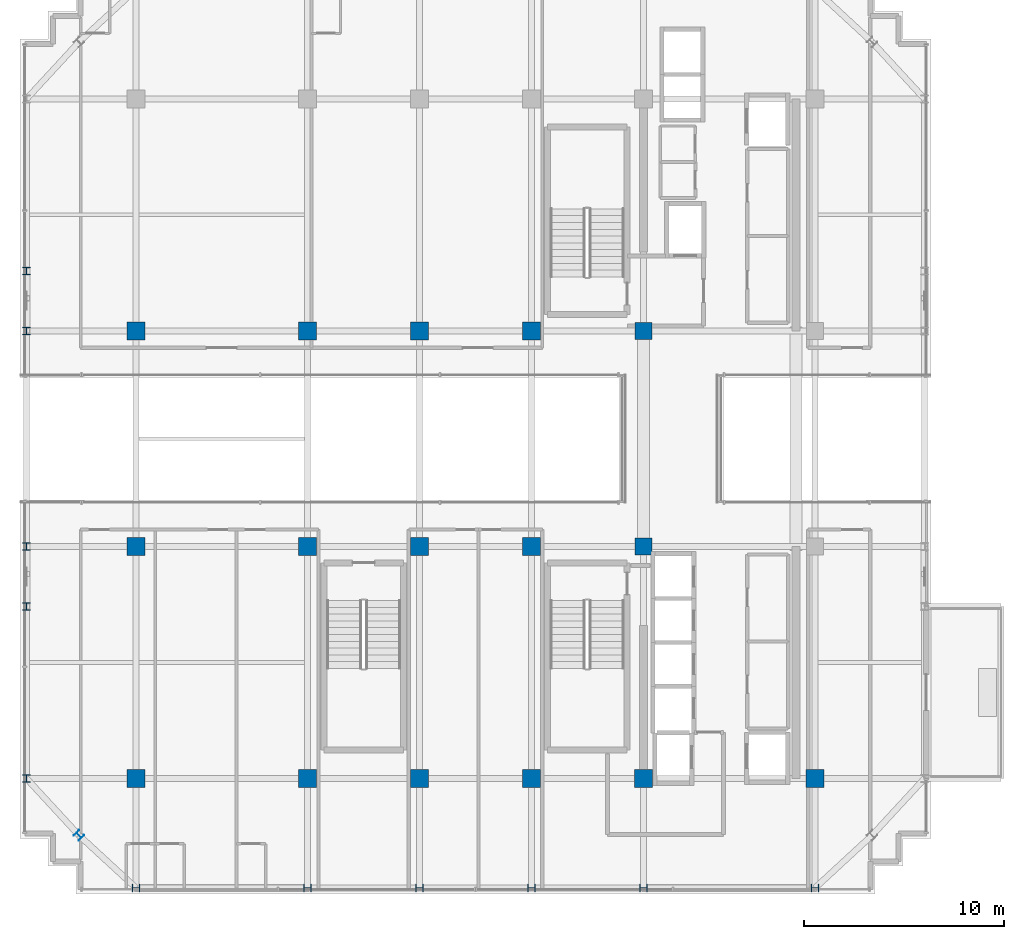
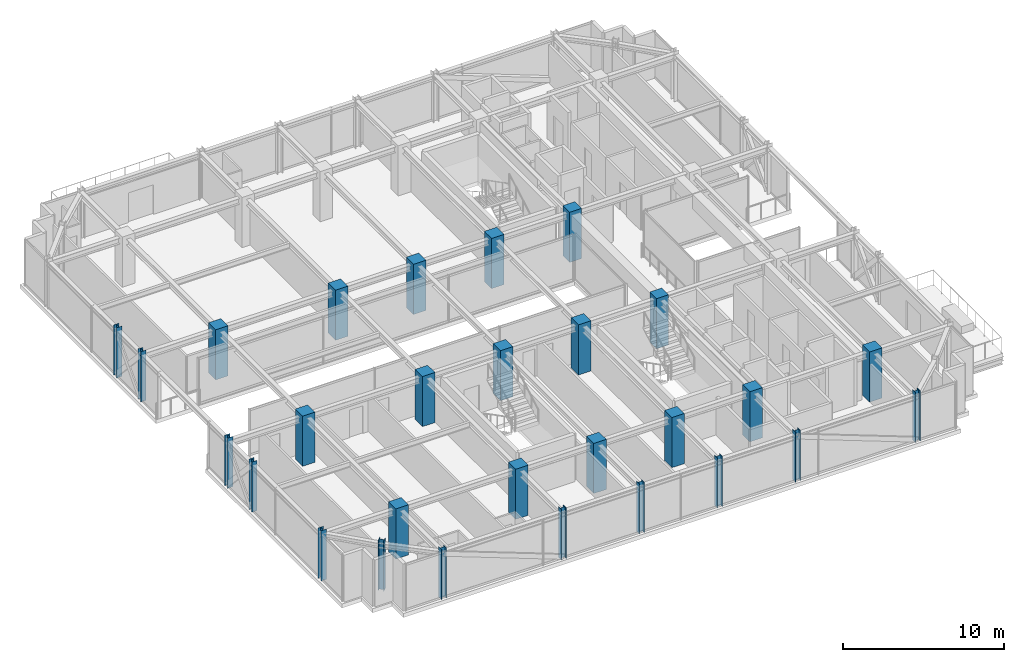
# One storey, part 1 of 39: 28 columns.
"""IFC4 building model written with IfcOpenShell, lengths in metres."""

from ifc_helpers import new_model, si_unit, direction, frame, origin, origin_2d, place, context, subcontext, project, spatial, rectangle, i_section, extrude, source, transform, mapped, material, material_profile, profile_set, type_object, element, save


model = new_model("IFC4")

# Units and contexts
model_context = context("Model", 3, precision=1e-05, world=origin(), true_north=direction((0.0, 1.0)))
body_context = subcontext(model_context, "Body", "Model", "MODEL_VIEW")
ifc_project = project(units=[si_unit("LENGTHUNIT", "METRE"), si_unit("AREAUNIT", "SQUARE_METRE"), si_unit("VOLUMEUNIT", "CUBIC_METRE"), si_unit("PLANEANGLEUNIT", "RADIAN"), si_unit("MASSUNIT", "GRAM", prefix="KILO")], contexts=[model_context])

# Site, building, storey
site_placement = place(None, origin())
site = spatial("IfcSite", under=ifc_project, at=site_placement, CompositionType="ELEMENT")
building_placement = place(site_placement, origin())
building = spatial("IfcBuilding", under=site, at=building_placement, Name="Nahalor Promenade Grand Hotel", CompositionType="ELEMENT")
storey_placement = place(building_placement, frame((0.0, 0.0, 311.89990234375)))
storey = spatial("IfcBuildingStorey", under=building, at=storey_placement, Name="L80", CompositionType="ELEMENT", Elevation=311.89990234375)

# Columns
ifc_material_1 = material(Name="Concrete B-50 (C40/50)", Category="concrete")
ifc_material_profile_1 = material_profile(ifc_material_1, rectangle(XDim=0.9, YDim=0.9, at=origin_2d()), Name="RC 900x900")
ifc_profile_set_1 = profile_set([ifc_material_profile_1], Name="Concrete B-50 (C40/50)")
column_type_1 = type_object("IfcColumnType", Name="Col-RC-900", PredefinedType="COLUMN", material=ifc_profile_set_1)
shared_shape_1 = source(origin(), body_context, "Body", "SweptSolid", [
    extrude(rectangle(XDim=0.9, YDim=0.9, at=origin_2d()), origin(), (0.0, 0.0, 1.0), 3.80517578125),
])
for number, where, z_axis, x_axis, name in (
    (1, (-17.0, -17.0, 0.0), (0.0, 0.0, 1.0), (1.0, 0.0, 0.0), "COL-L80-I00"),
    (2, (-17.0, -5.39990234375, 0.0), (0.0, 0.0, 1.0), (1.0, 0.0, 0.0), "COL-L80-I01"),
    (3, (-17.0, 5.39990234375, 0.0), (0.0, 0.0, 1.0), (1.0, 0.0, 0.0), "COL-L80-I02"),
    (4, (-8.39990234375, -17.0, 0.0), (0.0, 0.0, 1.0), (1.0, 0.0, 0.0), "COL-L80-I10"),
    (5, (-8.39990234375, -5.39990234375, 0.0), (0.0, 0.0, 1.0), (1.0, 0.0, 0.0), "COL-L80-I11"),
    (6, (-8.39990234375, 5.39990234375, 0.0), (0.0, 0.0, 1.0), (1.0, 0.0, 0.0), "COL-L80-I12"),
    (7, (-2.800048828125, -17.0, 0.0), (0.0, 0.0, 1.0), (1.0, 0.0, 0.0), "COL-L80-I20"),
    (8, (-2.800048828125, -5.39990234375, 0.0), (0.0, 0.0, 1.0), (1.0, 0.0, 0.0), "COL-L80-I21"),
    (9, (-2.800048828125, 5.39990234375, 0.0), (0.0, 0.0, 1.0), (1.0, 0.0, 0.0), "COL-L80-I22"),
    (10, (2.800048828125, -17.0, 0.0), (0.0, 0.0, 1.0), (1.0, 0.0, 0.0), "COL-L80-I30"),
    (11, (2.800048828125, -5.39990234375, 0.0), (0.0, 0.0, 1.0), (1.0, 0.0, 0.0), "COL-L80-I31"),
    (12, (2.800048828125, 5.39990234375, 0.0), (0.0, 0.0, 1.0), (1.0, 0.0, 0.0), "COL-L80-I32"),
    (13, (8.39990234375, -17.0, 0.0), (0.0, 0.0, 1.0), (1.0, 0.0, 0.0), "COL-L80-I40"),
    (14, (17.0, -17.0, 0.0), (0.0, 0.0, 1.0), (1.0, 0.0, 0.0), "COL-L80-I50"),
):
    element("IfcColumn", number, at=place(storey_placement, frame(where, z_axis=z_axis, x_axis=x_axis)), inside=storey, type_object=column_type_1, Name=name, PredefinedType="COLUMN", context=body_context, shape_type="MappedRepresentation", body=[
        mapped(shared_shape_1, transform((0.0, 0.0, 0.0), scale=1.0)),
    ])
ifc_material_2 = material(Name="Concrete B-70 (C60/75)", Category="concrete")
ifc_material_profile_2 = material_profile(ifc_material_2, rectangle(XDim=0.85, YDim=0.85, at=origin_2d()), Name="RC 850x850")
ifc_profile_set_2 = profile_set([ifc_material_profile_2], Name="Concrete B-70 (C60/75)")
column_type_2 = type_object("IfcColumnType", Name="Col-Pilaster-850", PredefinedType="PILASTER", material=ifc_profile_set_2)
shared_shape_2 = source(origin(), body_context, "Body", "SweptSolid", [
    extrude(rectangle(XDim=0.85, YDim=0.85, at=origin_2d()), origin(), (0.0, 0.0, 1.0), 3.80517578125),
])
for number, where, z_axis, x_axis, name in (
    (15, (8.39990234375, -5.39990234375, 0.0), (0.0, 0.0, 1.0), (1.0, 0.0, 0.0), "COL-L80-I41"),
    (16, (8.39990234375, 5.39990234375, 0.0), (0.0, 0.0, 1.0), (1.0, 0.0, 0.0), "COL-L80-I42"),
):
    element("IfcColumn", number, at=place(storey_placement, frame(where, z_axis=z_axis, x_axis=x_axis)), inside=storey, type_object=column_type_2, Name=name, PredefinedType="PILASTER", context=body_context, shape_type="MappedRepresentation", body=[
        mapped(shared_shape_2, transform((0.0, 0.0, 0.0), scale=1.0)),
    ])
ifc_material_3 = material(Name="Steel S355JR", Category="steel")
ifc_material_profile_3 = material_profile(ifc_material_3, i_section(OverallWidth=0.374, OverallDepth=0.374, WebThickness=0.0144, FlangeThickness=0.0229, at=origin_2d()), Name="HD 360x262")
ifc_profile_set_3 = profile_set([ifc_material_profile_3], Name="Steel S355JR")
column_type_3 = type_object("IfcColumnType", Name="Col-Steel-HD262", PredefinedType="COLUMN", material=ifc_profile_set_3)
shared_shape_3 = source(origin(), body_context, "Body", "SweptSolid", [
    extrude(i_section(OverallWidth=0.374, OverallDepth=0.374, WebThickness=0.0144, FlangeThickness=0.0229, at=origin_2d()), origin(), (0.0, 0.0, 1.0), 3.80517578125),
])
for number, where, z_axis, x_axis, name in (
    (17, (-22.47998046875, -17.0, 0.0), (0.0, 0.0, 1.0), (1.0, 0.0, 0.0), "COL-L80-PW-W0"),
    (18, (-22.47998046875, -8.39990234375, 0.0), (0.0, 0.0, 1.0), (1.0, 0.0, 0.0), "COL-L80-PW-W1"),
    (19, (-22.47998046875, -5.39990234375, 0.0), (0.0, 0.0, 1.0), (1.0, 0.0, 0.0), "COL-L80-PW-W2"),
    (20, (-22.47998046875, 5.39990234375, 0.0), (0.0, 0.0, 1.0), (1.0, 0.0, 0.0), "COL-L80-PW-W3"),
    (21, (-22.47998046875, 8.39990234375, 0.0), (0.0, 0.0, 1.0), (1.0, 0.0, 0.0), "COL-L80-PW-W4"),
    (22, (-17.0, -22.47998046875, 0.0), (0.0, 0.0, 1.0), (0.0, 1.0, 0.0), "COL-L80-PN-S0"),
    (23, (-8.39990234375, -22.47998046875, 0.0), (0.0, 0.0, 1.0), (0.0, 1.0, 0.0), "COL-L80-PN-S1"),
    (24, (-2.800048828125, -22.47998046875, 0.0), (0.0, 0.0, 1.0), (0.0, 1.0, 0.0), "COL-L80-PN-S2"),
    (25, (2.800048828125, -22.47998046875, 0.0), (0.0, 0.0, 1.0), (0.0, 1.0, 0.0), "COL-L80-PN-S3"),
    (26, (8.39990234375, -22.47998046875, 0.0), (0.0, 0.0, 1.0), (0.0, 1.0, 0.0), "COL-L80-PN-S4"),
    (27, (17.0, -22.47998046875, 0.0), (0.0, 0.0, 1.0), (0.0, 1.0, 0.0), "COL-L80-PN-S5"),
    (28, (-19.85009765625, -19.85009765625, 0.0), (0.0, 0.0, 1.0), (0.707106781187, 0.707106781187, 0.0), "COL-L80-CRN-SW"),
):
    element("IfcColumn", number, at=place(storey_placement, frame(where, z_axis=z_axis, x_axis=x_axis)), inside=storey, type_object=column_type_3, Name=name, PredefinedType="COLUMN", context=body_context, shape_type="MappedRepresentation", body=[
        mapped(shared_shape_3, transform((0.0, 0.0, 0.0), scale=1.0)),
    ])

save(model, "model.ifc")
